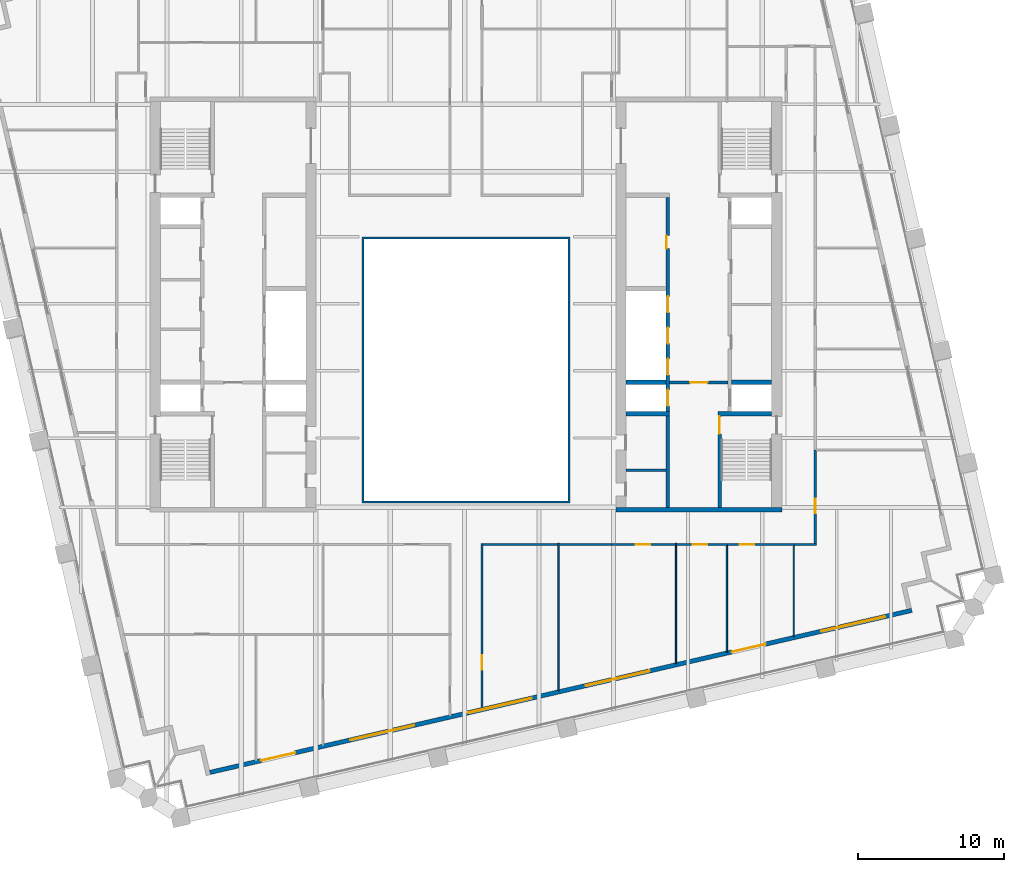
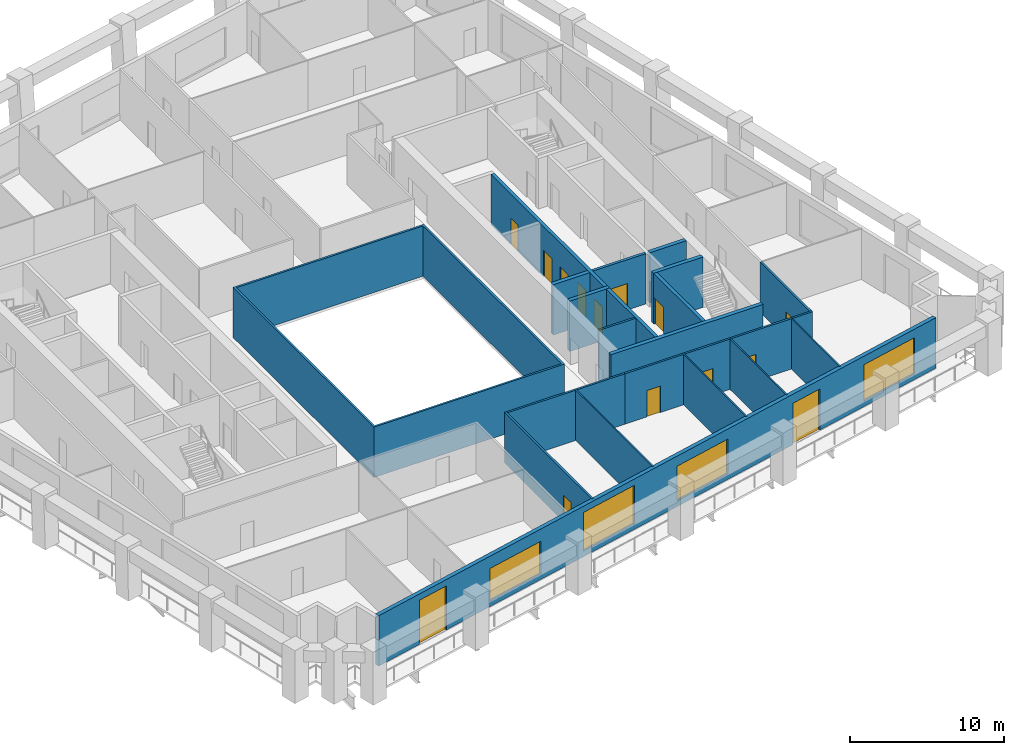
# One storey, part 5 of 11: 23 walls, 14 doors, 4 windows, 18 openings.
"""IFC4 building model written with IfcOpenShell, lengths in metres."""

from ifc_helpers import new_model, si_unit, direction, frame, frame_2d, origin, place, context, subcontext, project, spatial, polyline, rectangle, outline, extrude, material, layer, layer_set, type_object, element, fill, save


model = new_model("IFC4")

# Units and contexts
model_context = context("Model", 3, precision=1e-05, world=origin(), true_north=direction((0.0, 1.0)))
body_context = subcontext(model_context, "Body", "Model", "MODEL_VIEW")
ifc_project = project(units=[si_unit("LENGTHUNIT", "METRE"), si_unit("AREAUNIT", "SQUARE_METRE"), si_unit("VOLUMEUNIT", "CUBIC_METRE"), si_unit("PLANEANGLEUNIT", "RADIAN"), si_unit("MASSUNIT", "GRAM", prefix="KILO")], contexts=[model_context])

# Site, building, storey
site_placement = place(None, origin())
site = spatial("IfcSite", under=ifc_project, at=site_placement, CompositionType="ELEMENT")
building_placement = place(site_placement, origin())
building = spatial("IfcBuilding", under=site, at=building_placement, Name="Ogive Exchange Tower", CompositionType="ELEMENT")
storey_placement = place(building_placement, frame((0.0, 0.0, 175.800048828125)))
storey = spatial("IfcBuildingStorey", under=building, at=storey_placement, Name="L38", CompositionType="ELEMENT", Elevation=175.800048828125)

# Wall
ifc_material_1 = material(Name="Gypsum board partition")
ifc_layer_1 = layer(ifc_material_1, 0.14990234375)
ifc_layer_set_1 = layer_set([ifc_layer_1], Name="Core room partition 150 gypsum")
wall_type_1 = type_object("IfcWallType", Name="Core room partition 150 gypsum", PredefinedType="PARTITIONING", material=ifc_layer_set_1)
wall_1_placement = place(storey_placement, frame((11.0, 0.10009765625, 0.0), z_axis=(0.0, 0.0, 1.0), x_axis=(1.0, 0.0, 0.0)))
element("IfcWall", 1, at=wall_1_placement, inside=storey, type_object=wall_type_1, Name="E south room partition", PredefinedType="PARTITIONING", context=body_context, shape_type="SweptSolid", body=[
    extrude(rectangle(XDim=2.75, YDim=0.14990234375, at=frame_2d((1.375, 0.0))), origin(), (0.0, 0.0, 1.0), 4.0),
])

# Wall, opening, door
ifc_material_2 = material(Name="Fire partition EI 60 150")
ifc_layer_2 = layer(ifc_material_2, 0.14990234375)
ifc_layer_set_2 = layer_set([ifc_layer_2], Name="Fire partition EI 60 150")
wall_type_2 = type_object("IfcWallType", Name="Fire partition EI 60 150", PredefinedType="PARTITIONING", material=ifc_layer_set_2)
wall_2_placement = place(storey_placement, frame((1.10009765625, -4.925048828125, 0.0), z_axis=(0.0, 0.0, 1.0), x_axis=(0.0, -1.0, 0.0)))
wall_2 = element("IfcWall", 2, at=wall_2_placement, inside=storey, type_object=wall_type_2, Name="L38-PWL-036", PredefinedType="PARTITIONING", context=body_context, shape_type="SweptSolid", body=[
    extrude(rectangle(XDim=11.344970703125, YDim=0.14990234375, at=frame_2d((5.67236328125, 0.0))), origin(), (0.0, 0.0, 1.0), 4.0),
])
opening_1_placement = place(wall_2_placement, frame((7.675048828125, 0.0, 0.0)))
opening_1 = element("IfcOpeningElement", 3, at=opening_1_placement, cuts=wall_2, Name="Opening L38-I16", PredefinedType="OPENING", context=body_context, shape_type="SweptSolid", body=[
    extrude(rectangle(XDim=1.0, YDim=2.10009765625, at=frame_2d((0.5, 1.050048828125))), frame((0.0, 0.0849609375, 0.0), z_axis=(0.0, -1.0, 0.0), x_axis=(1.0, 0.0, 0.0)), (0.0, 0.0, 1.0), 0.169921875),
])
ifc_material_3 = material(Name="Fire door FD 30S 1000 x 2100")
door_type_1 = type_object("IfcDoorType", Name="Fire door FD 30S 1000 x 2100", OperationType="NOTDEFINED", PredefinedType="DOOR", material=ifc_material_3)
door_1_placement = place(opening_1_placement, origin())
door_1 = element("IfcDoor", 4, at=door_1_placement, inside=storey, type_object=door_type_1, Name="L38-IDR-016", ObjectType="DT3", OperationType="SINGLE_SWING_LEFT", OverallHeight=2.10009765625, OverallWidth=1.0, PredefinedType="DOOR", context=body_context, shape_type="SweptSolid", body=[
    extrude(rectangle(XDim=1.0, YDim=2.10009765625, at=frame_2d((0.5, 1.050048828125))), frame((0.0, 0.02490234375, 0.0), z_axis=(0.0, -1.0, 0.0), x_axis=(1.0, 0.0, 0.0)), (0.0, 0.0, 1.0), 0.050048828125),
])
fill(opening_1, door_1)

# Walls
wall_3_placement = place(storey_placement, frame((6.2900390625, -5.0, 0.0), z_axis=(0.0, 0.0, 1.0), x_axis=(-1.0, 0.0, 0.0)))
element("IfcWall", 5, at=wall_3_placement, inside=storey, type_object=wall_type_2, Name="L38-PWL-044", PredefinedType="PARTITIONING", context=body_context, shape_type="SweptSolid", body=[
    extrude(rectangle(XDim=5.114990234375, YDim=0.14990234375, at=frame_2d((2.5576171875, 0.0))), origin(), (0.0, 0.0, 1.0), 4.0),
])
wall_4_placement = place(storey_placement, frame((10.0, -5.0, 0.0), z_axis=(0.0, 0.0, 1.0), x_axis=(-1.0, 0.0, 0.0)))
element("IfcWall", 6, at=wall_4_placement, inside=storey, type_object=wall_type_2, Name="L38-PWL-051", PredefinedType="PARTITIONING", context=body_context, shape_type="SweptSolid", body=[
    extrude(rectangle(XDim=3.610107421875, YDim=0.14990234375, at=frame_2d((1.80517578125, 0.0))), origin(), (0.0, 0.0, 1.0), 4.0),
])

# Wall, opening, door
wall_5_placement = place(storey_placement, frame((14.3798828125, -5.0, 0.0), z_axis=(0.0, 0.0, 1.0), x_axis=(-1.0, 0.0, 0.0)))
wall_5 = element("IfcWall", 7, at=wall_5_placement, inside=storey, type_object=wall_type_2, Name="L38-PWL-057", PredefinedType="PARTITIONING", context=body_context, shape_type="SweptSolid", body=[
    extrude(rectangle(XDim=4.3798828125, YDim=0.14990234375, at=frame_2d((2.18994140625, 0.0))), origin(), (0.0, 0.0, 1.0), 4.0),
])
opening_2_placement = place(wall_5_placement, frame((1.72998046875, 0.0, 0.0)))
opening_2 = element("IfcOpeningElement", 8, at=opening_2_placement, cuts=wall_5, Name="Opening L38-I15", PredefinedType="OPENING", context=body_context, shape_type="SweptSolid", body=[
    extrude(rectangle(XDim=1.0, YDim=2.10009765625, at=frame_2d((0.5, 1.050048828125))), frame((0.0, 0.0849609375, 0.0), z_axis=(0.0, -1.0, 0.0), x_axis=(1.0, 0.0, 0.0)), (0.0, 0.0, 1.0), 0.169921875),
])
door_2_placement = place(opening_2_placement, origin())
door_2 = element("IfcDoor", 9, at=door_2_placement, inside=storey, type_object=door_type_1, Name="L38-IDR-015", ObjectType="DT3", OperationType="SINGLE_SWING_RIGHT", OverallHeight=2.10009765625, OverallWidth=1.0, PredefinedType="DOOR", context=body_context, shape_type="SweptSolid", body=[
    extrude(rectangle(XDim=1.0, YDim=2.10009765625, at=frame_2d((0.5, 1.050048828125))), frame((0.0, 0.02490234375, 0.0), z_axis=(0.0, -1.0, 0.0), x_axis=(1.0, 0.0, 0.0)), (0.0, 0.0, 1.0), 0.050048828125),
])
fill(opening_2, door_2)

wall_6_placement = place(storey_placement, frame((17.969970703125, -5.0, 0.0), z_axis=(0.0, 0.0, 1.0), x_axis=(-1.0, 0.0, 0.0)))
wall_6 = element("IfcWall", 10, at=wall_6_placement, inside=storey, type_object=wall_type_2, Name="L38-PWL-058", PredefinedType="PARTITIONING", context=body_context, shape_type="SweptSolid", body=[
    extrude(rectangle(XDim=3.489990234375, YDim=0.14990234375, at=frame_2d((1.7451171875, 0.0))), origin(), (0.0, 0.0, 1.0), 4.0),
])
opening_3_placement = place(wall_6_placement, frame((1.389892578125, 0.0, 0.0)))
opening_3 = element("IfcOpeningElement", 11, at=opening_3_placement, cuts=wall_6, Name="Opening L38-I14", PredefinedType="OPENING", context=body_context, shape_type="SweptSolid", body=[
    extrude(rectangle(XDim=1.0, YDim=2.10009765625, at=frame_2d((0.5, 1.050048828125))), frame((0.0, 0.0849609375, 0.0), z_axis=(0.0, -1.0, 0.0), x_axis=(1.0, 0.0, 0.0)), (0.0, 0.0, 1.0), 0.169921875),
])
door_3_placement = place(opening_3_placement, origin())
door_3 = element("IfcDoor", 12, at=door_3_placement, inside=storey, type_object=door_type_1, Name="L38-IDR-014", ObjectType="DT3", OperationType="SINGLE_SWING_RIGHT", OverallHeight=2.10009765625, OverallWidth=1.0, PredefinedType="DOOR", context=body_context, shape_type="SweptSolid", body=[
    extrude(rectangle(XDim=1.0, YDim=2.10009765625, at=frame_2d((0.5, 1.050048828125))), frame((0.0, 0.02490234375, 0.0), z_axis=(0.0, -1.0, 0.0), x_axis=(1.0, 0.0, 0.0)), (0.0, 0.0, 1.0), 0.050048828125),
])
fill(opening_3, door_3)

wall_7_placement = place(storey_placement, frame((22.570068359375, -5.0, 0.0), z_axis=(0.0, 0.0, 1.0), x_axis=(-1.0, 0.0, 0.0)))
wall_7 = element("IfcWall", 13, at=wall_7_placement, inside=storey, type_object=wall_type_2, Name="L38-PWL-070", PredefinedType="PARTITIONING", context=body_context, shape_type="SweptSolid", body=[
    extrude(rectangle(XDim=4.650146484375, YDim=0.14990234375, at=frame_2d((2.3251953125, 0.0))), origin(), (0.0, 0.0, 1.0), 4.0),
])
opening_4_placement = place(wall_7_placement, frame((2.75, 0.0, 0.0)))
opening_4 = element("IfcOpeningElement", 14, at=opening_4_placement, cuts=wall_7, Name="Opening L38-I18", PredefinedType="OPENING", context=body_context, shape_type="SweptSolid", body=[
    extrude(rectangle(XDim=1.0, YDim=2.10009765625, at=frame_2d((0.5, 1.050048828125))), frame((0.0, 0.0849609375, 0.0), z_axis=(0.0, -1.0, 0.0), x_axis=(1.0, 0.0, 0.0)), (0.0, 0.0, 1.0), 0.169921875),
])
door_4_placement = place(opening_4_placement, origin())
door_4 = element("IfcDoor", 15, at=door_4_placement, inside=storey, type_object=door_type_1, Name="L38-IDR-018", ObjectType="DT3", OperationType="SINGLE_SWING_LEFT", OverallHeight=2.10009765625, OverallWidth=1.0, PredefinedType="DOOR", context=body_context, shape_type="SweptSolid", body=[
    extrude(rectangle(XDim=1.0, YDim=2.10009765625, at=frame_2d((0.5, 1.050048828125))), frame((0.0, 0.02490234375, 0.0), z_axis=(0.0, -1.0, 0.0), x_axis=(1.0, 0.0, 0.0)), (0.0, 0.0, 1.0), 0.050048828125),
])
fill(opening_4, door_4)

# Wall
wall_8_placement = place(storey_placement, frame((24.074951171875, -5.0, 0.0), z_axis=(0.0, 0.0, 1.0), x_axis=(-1.0, 0.0, 0.0)))
element("IfcWall", 16, at=wall_8_placement, inside=storey, type_object=wall_type_2, Name="L38-PWL-074", PredefinedType="PARTITIONING", context=body_context, shape_type="SweptSolid", body=[
    extrude(rectangle(XDim=1.5048828125, YDim=0.14990234375, at=frame_2d((0.75244140625, 0.0))), origin(), (0.0, 0.0, 1.0), 4.0),
])

# Wall, opening, door
wall_9_placement = place(storey_placement, frame((24.0, 1.510009765625, 0.0), z_axis=(0.0, 0.0, 1.0), x_axis=(0.0, -1.0, 0.0)))
wall_9 = element("IfcWall", 17, at=wall_9_placement, inside=storey, type_object=wall_type_2, Name="L38-PWL-075", PredefinedType="PARTITIONING", context=body_context, shape_type="SweptSolid", body=[
    extrude(rectangle(XDim=6.43505859375, YDim=0.14990234375, at=frame_2d((3.217529296875, 0.0))), origin(), (0.0, 0.0, 1.0), 4.0),
])
opening_5_placement = place(wall_9_placement, frame((3.360107421875, 0.0, 0.0)))
opening_5 = element("IfcOpeningElement", 18, at=opening_5_placement, cuts=wall_9, Name="Opening L38-I19", PredefinedType="OPENING", context=body_context, shape_type="SweptSolid", body=[
    extrude(rectangle(XDim=1.0, YDim=2.10009765625, at=frame_2d((0.5, 1.050048828125))), frame((0.0, 0.0849609375, 0.0), z_axis=(0.0, -1.0, 0.0), x_axis=(1.0, 0.0, 0.0)), (0.0, 0.0, 1.0), 0.169921875),
])
door_5_placement = place(opening_5_placement, origin())
door_5 = element("IfcDoor", 19, at=door_5_placement, inside=storey, type_object=door_type_1, Name="L38-IDR-019", ObjectType="DT3", OperationType="SINGLE_SWING_RIGHT", OverallHeight=2.10009765625, OverallWidth=1.0, PredefinedType="DOOR", context=body_context, shape_type="SweptSolid", body=[
    extrude(rectangle(XDim=1.0, YDim=2.10009765625, at=frame_2d((0.5, 1.050048828125))), frame((0.0, 0.02490234375, 0.0), z_axis=(0.0, -1.0, 0.0), x_axis=(1.0, 0.0, 0.0)), (0.0, 0.0, 1.0), 0.050048828125),
])
fill(opening_5, door_5)

# Wall
ifc_material_4 = material(Name="Fire-resisting glass in steel frame", Category="steel")
ifc_layer_3 = layer(ifc_material_4, 0.14990234375)
ifc_layer_set_3 = layer_set([ifc_layer_3], Name="Fire-rated glazed wall 150")
wall_type_3 = type_object("IfcWallType", Name="Fire-rated glazed wall 150", PredefinedType="STANDARD", material=ifc_layer_set_3)
wall_10_placement = place(storey_placement, origin())
element("IfcWall", 20, at=wall_10_placement, inside=storey, type_object=wall_type_3, Name="Nave enclosure wall", PredefinedType="STANDARD", context=body_context, shape_type="SweptSolid", body=[
    extrude(outline(polyline([(-7.14990234375, -2.14990234375), (7.14990234375, -2.14990234375), (7.14990234375, 16.14990234375), (-7.14990234375, 16.14990234375), (-7.14990234375, -2.14990234375)]), holes=[polyline([(-7.0, -2.0), (-7.0, 16.0), (7.0, 16.0), (7.0, -2.0), (-7.0, -2.0)])]), origin(), (0.0, 0.0, 1.0), 4.0),
])

# Wall, openings, doors, windows
ifc_material_5 = material(Name="Precast concrete C40/50", Category="concrete")
ifc_layer_4 = layer(ifc_material_5, 0.300048828125)
ifc_layer_set_4 = layer_set([ifc_layer_4], Name="Limestone-faced wall 300")
wall_type_4 = type_object("IfcWallType", Name="Limestone-faced wall 300", PredefinedType="STANDARD", material=ifc_layer_set_4)
wall_11_placement = place(storey_placement, frame((-17.592041015625, -20.6572265625, 0.0), z_axis=(0.0, 0.0, 1.0), x_axis=(0.974370243697, 0.224950279389, 0.0)))
wall_11 = element("IfcWall", 21, at=wall_11_placement, inside=storey, type_object=wall_type_4, Name="External wall S1", PredefinedType="STANDARD", context=body_context, shape_type="SweptSolid", body=[
    extrude(rectangle(XDim=49.499755859375, YDim=0.300048828125, at=frame_2d((24.75, 0.0))), origin(), (0.0, 0.0, 1.0), 4.0),
])
opening_6_placement = place(wall_11_placement, frame((3.60009765625, 0.0, 0.0)))
opening_6 = element("IfcOpeningElement", 22, at=opening_6_placement, cuts=wall_11, Name="Opening D1", PredefinedType="OPENING", context=body_context, shape_type="SweptSolid", body=[
    extrude(rectangle(XDim=2.39990234375, YDim=3.5, at=frame_2d((1.199951171875, 1.75))), frame((0.0, 0.159912109375, 0.0), z_axis=(0.0, -1.0, 0.0), x_axis=(1.0, 0.0, 0.0)), (0.0, 0.0, 1.0), 0.320068359375),
])
opening_7_placement = place(wall_11_placement, frame((9.89990234375, 0.0, 0.449951171875)))
opening_7 = element("IfcOpeningElement", 23, at=opening_7_placement, cuts=wall_11, Name="Opening W1M", PredefinedType="OPENING", context=body_context, shape_type="SweptSolid", body=[
    extrude(rectangle(XDim=4.5, YDim=2.574951171875, at=frame_2d((2.25, 1.28759765625))), frame((0.0, 0.159912109375, 0.0), z_axis=(0.0, -1.0, 0.0), x_axis=(1.0, 0.0, 0.0)), (0.0, 0.0, 1.0), 0.320068359375),
])
opening_8_placement = place(wall_11_placement, frame((18.199951171875, 0.0, 0.449951171875)))
opening_8 = element("IfcOpeningElement", 24, at=opening_8_placement, cuts=wall_11, Name="Opening W1", PredefinedType="OPENING", context=body_context, shape_type="SweptSolid", body=[
    extrude(rectangle(XDim=4.5, YDim=3.050048828125, at=frame_2d((2.25, 1.52490234375))), frame((0.0, 0.159912109375, 0.0), z_axis=(0.0, -1.0, 0.0), x_axis=(1.0, 0.0, 0.0)), (0.0, 0.0, 1.0), 0.320068359375),
])
opening_9_placement = place(wall_11_placement, frame((26.5, 0.0, 0.449951171875)))
opening_9 = element("IfcOpeningElement", 25, at=opening_9_placement, cuts=wall_11, Name="Opening W1H", PredefinedType="OPENING", context=body_context, shape_type="SweptSolid", body=[
    extrude(rectangle(XDim=4.5, YDim=2.75, at=frame_2d((2.25, 1.375))), frame((0.0, 0.159912109375, 0.0), z_axis=(0.0, -1.0, 0.0), x_axis=(1.0, 0.0, 0.0)), (0.0, 0.0, 1.0), 0.320068359375),
])
opening_10_placement = place(wall_11_placement, frame((36.800048828125, 0.0, 0.0)))
opening_10 = element("IfcOpeningElement", 26, at=opening_10_placement, cuts=wall_11, Name="Opening D1E", PredefinedType="OPENING", context=body_context, shape_type="SweptSolid", body=[
    extrude(rectangle(XDim=2.39990234375, YDim=3.27490234375, at=frame_2d((1.199951171875, 1.637451171875))), frame((0.0, 0.159912109375, 0.0), z_axis=(0.0, -1.0, 0.0), x_axis=(1.0, 0.0, 0.0)), (0.0, 0.0, 1.0), 0.320068359375),
])
opening_11_placement = place(wall_11_placement, frame((43.10009765625, 0.0, 0.449951171875)))
opening_11 = element("IfcOpeningElement", 27, at=opening_11_placement, cuts=wall_11, Name="Opening W1D", PredefinedType="OPENING", context=body_context, shape_type="SweptSolid", body=[
    extrude(rectangle(XDim=4.5, YDim=2.875, at=frame_2d((2.25, 1.4375))), frame((0.0, 0.159912109375, 0.0), z_axis=(0.0, -1.0, 0.0), x_axis=(1.0, 0.0, 0.0)), (0.0, 0.0, 1.0), 0.320068359375),
])
ifc_material_6 = material(Name="Clear glass in bronze frame", Category="glass")
door_type_2 = type_object("IfcDoorType", Name="Sliding loggia door 2400 x 3275", OperationType="DOUBLE_DOOR_SLIDING", PredefinedType="DOOR", material=ifc_material_6)
door_6_placement = place(opening_10_placement, origin())
door_6 = element("IfcDoor", 28, at=door_6_placement, inside=storey, type_object=door_type_2, Name="Loggia door S04", OperationType="DOUBLE_DOOR_SLIDING", OverallHeight=3.27490234375, OverallWidth=2.39990234375, PredefinedType="DOOR", context=body_context, shape_type="SweptSolid", body=[
    extrude(rectangle(XDim=2.39990234375, YDim=3.27490234375, at=frame_2d((1.199951171875, 1.637451171875))), frame((0.0, 0.02490234375, 0.0), z_axis=(0.0, -1.0, 0.0), x_axis=(1.0, 0.0, 0.0)), (0.0, 0.0, 1.0), 0.050048828125),
])
fill(opening_10, door_6)
door_type_3 = type_object("IfcDoorType", Name="Sliding loggia door 2400 x 3500", OperationType="DOUBLE_DOOR_SLIDING", PredefinedType="DOOR", material=ifc_material_6)
door_7_placement = place(opening_6_placement, origin())
door_7 = element("IfcDoor", 29, at=door_7_placement, inside=storey, type_object=door_type_3, Name="Loggia door S00", OperationType="DOUBLE_DOOR_SLIDING", OverallHeight=3.5, OverallWidth=2.39990234375, PredefinedType="DOOR", context=body_context, shape_type="SweptSolid", body=[
    extrude(rectangle(XDim=2.39990234375, YDim=3.5, at=frame_2d((1.199951171875, 1.75))), frame((0.0, 0.02490234375, 0.0), z_axis=(0.0, -1.0, 0.0), x_axis=(1.0, 0.0, 0.0)), (0.0, 0.0, 1.0), 0.050048828125),
])
fill(opening_6, door_7)
window_type_1 = type_object("IfcWindowType", Name="Twin lancet window 4500 x 2575", PartitioningType="DOUBLE_PANEL_VERTICAL", PredefinedType="WINDOW", material=ifc_material_6)
window_1_placement = place(opening_7_placement, origin())
window_1 = element("IfcWindow", 30, at=window_1_placement, inside=storey, type_object=window_type_1, Name="Window S01", OverallHeight=2.574951171875, OverallWidth=4.5, PartitioningType="DOUBLE_PANEL_VERTICAL", PredefinedType="WINDOW", context=body_context, shape_type="SweptSolid", body=[
    extrude(rectangle(XDim=4.5, YDim=2.574951171875, at=frame_2d((2.25, 1.28759765625))), frame((0.0, 0.030029296875, 0.0), z_axis=(0.0, -1.0, 0.0), x_axis=(1.0, 0.0, 0.0)), (0.0, 0.0, 1.0), 0.06005859375),
])
fill(opening_7, window_1)
window_type_2 = type_object("IfcWindowType", Name="Twin lancet window 4500 x 2750", PartitioningType="DOUBLE_PANEL_VERTICAL", PredefinedType="WINDOW", material=ifc_material_6)
window_2_placement = place(opening_9_placement, origin())
window_2 = element("IfcWindow", 31, at=window_2_placement, inside=storey, type_object=window_type_2, Name="Window S03", OverallHeight=2.75, OverallWidth=4.5, PartitioningType="DOUBLE_PANEL_VERTICAL", PredefinedType="WINDOW", context=body_context, shape_type="SweptSolid", body=[
    extrude(rectangle(XDim=4.5, YDim=2.75, at=frame_2d((2.25, 1.375))), frame((0.0, 0.030029296875, 0.0), z_axis=(0.0, -1.0, 0.0), x_axis=(1.0, 0.0, 0.0)), (0.0, 0.0, 1.0), 0.06005859375),
])
fill(opening_9, window_2)
window_type_3 = type_object("IfcWindowType", Name="Twin lancet window 4500 x 2875", PartitioningType="DOUBLE_PANEL_VERTICAL", PredefinedType="WINDOW", material=ifc_material_6)
window_3_placement = place(opening_11_placement, origin())
window_3 = element("IfcWindow", 32, at=window_3_placement, inside=storey, type_object=window_type_3, Name="Window S05", OverallHeight=2.875, OverallWidth=4.5, PartitioningType="DOUBLE_PANEL_VERTICAL", PredefinedType="WINDOW", context=body_context, shape_type="SweptSolid", body=[
    extrude(rectangle(XDim=4.5, YDim=2.875, at=frame_2d((2.25, 1.4375))), frame((0.0, 0.030029296875, 0.0), z_axis=(0.0, -1.0, 0.0), x_axis=(1.0, 0.0, 0.0)), (0.0, 0.0, 1.0), 0.06005859375),
])
fill(opening_11, window_3)
window_type_4 = type_object("IfcWindowType", Name="Twin lancet window 4500 x 3050", PartitioningType="DOUBLE_PANEL_VERTICAL", PredefinedType="WINDOW", material=ifc_material_6)
window_4_placement = place(opening_8_placement, origin())
window_4 = element("IfcWindow", 33, at=window_4_placement, inside=storey, type_object=window_type_4, Name="Window S02", OverallHeight=3.050048828125, OverallWidth=4.5, PartitioningType="DOUBLE_PANEL_VERTICAL", PredefinedType="WINDOW", context=body_context, shape_type="SweptSolid", body=[
    extrude(rectangle(XDim=4.5, YDim=3.050048828125, at=frame_2d((2.25, 1.52490234375))), frame((0.0, 0.030029296875, 0.0), z_axis=(0.0, -1.0, 0.0), x_axis=(1.0, 0.0, 0.0)), (0.0, 0.0, 1.0), 0.06005859375),
])
fill(opening_8, window_4)

# Walls
ifc_material_7 = material(Name="Partition 100 gypsum")
ifc_layer_5 = layer(ifc_material_7, 0.10009765625)
ifc_layer_set_5 = layer_set([ifc_layer_5], Name="Partition 100 gypsum")
wall_type_5 = type_object("IfcWallType", Name="Partition 100 gypsum", PredefinedType="PARTITIONING", material=ifc_layer_set_5)
wall_12_placement = place(storey_placement, frame((6.340087890625, -15.06103515625, 0.0), z_axis=(0.0, 0.0, 1.0), x_axis=(0.0, 1.0, 0.0)))
element("IfcWall", 34, at=wall_12_placement, inside=storey, type_object=wall_type_5, Name="L38-PWL-043", PredefinedType="PARTITIONING", context=body_context, shape_type="SweptSolid", body=[
    extrude(rectangle(XDim=10.135986328125, YDim=0.10009765625, at=frame_2d((5.06787109375, 0.0))), origin(), (0.0, 0.0, 1.0), 4.0),
])
wall_13_placement = place(storey_placement, frame((14.429931640625, -13.193115234375, 0.0), z_axis=(0.0, 0.0, 1.0), x_axis=(0.0, 1.0, 0.0)))
element("IfcWall", 35, at=wall_13_placement, inside=storey, type_object=wall_type_5, Name="L38-PWL-056", PredefinedType="PARTITIONING", context=body_context, shape_type="SweptSolid", body=[
    extrude(rectangle(XDim=8.26806640625, YDim=0.10009765625, at=frame_2d((4.134033203125, 0.0))), origin(), (0.0, 0.0, 1.0), 4.0),
])
wall_14_placement = place(storey_placement, frame((17.919921875, -5.074951171875, 0.0), z_axis=(0.0, 0.0, 1.0), x_axis=(0.0, -1.0, 0.0)))
element("IfcWall", 36, at=wall_14_placement, inside=storey, type_object=wall_type_5, Name="L38-PWL-059", PredefinedType="PARTITIONING", context=body_context, shape_type="SweptSolid", body=[
    extrude(rectangle(XDim=7.31201171875, YDim=0.10009765625, at=frame_2d((3.656005859375, 0.0))), origin(), (0.0, 0.0, 1.0), 4.0),
])
wall_15_placement = place(storey_placement, frame((22.52001953125, -5.074951171875, 0.0), z_axis=(0.0, 0.0, 1.0), x_axis=(0.0, -1.0, 0.0)))
element("IfcWall", 37, at=wall_15_placement, inside=storey, type_object=wall_type_5, Name="L38-PWL-071", PredefinedType="PARTITIONING", context=body_context, shape_type="SweptSolid", body=[
    extrude(rectangle(XDim=6.25, YDim=0.10009765625, at=frame_2d((3.125, 0.0))), origin(), (0.0, 0.0, 1.0), 4.0),
])

# Wall, opening, door
ifc_material_8 = material(Name="Concrete C70/85", Category="concrete")
ifc_layer_6 = layer(ifc_material_8, 0.199951171875)
ifc_layer_set_6 = layer_set([ifc_layer_6], Name="RC core wall 200 C70/85")
wall_type_6 = type_object("IfcWallType", Name="RC core wall 200 C70/85", PredefinedType="SHEAR", material=ifc_layer_set_6)
wall_16_placement = place(storey_placement, frame((14.0, 6.142822265625, 0.0), z_axis=(0.0, 0.0, 1.0), x_axis=(1.0, 0.0, 0.0)))
wall_16 = element("IfcWall", 38, at=wall_16_placement, inside=storey, type_object=wall_type_6, Name="E firefighting lobby wall", PredefinedType="SHEAR", context=body_context, shape_type="SweptSolid", body=[
    extrude(rectangle(XDim=4.0, YDim=0.199951171875, at=frame_2d((2.0, 0.0))), origin(), (0.0, 0.0, 1.0), 4.0),
])
opening_12_placement = place(wall_16_placement, frame((1.39990234375, 0.0, 0.0)))
opening_12 = element("IfcOpeningElement", 39, at=opening_12_placement, cuts=wall_16, Name="Opening L38-C28", PredefinedType="OPENING", context=body_context, shape_type="SweptSolid", body=[
    extrude(rectangle(XDim=1.199951171875, YDim=2.10009765625, at=frame_2d((0.60009765625, 1.050048828125))), frame((0.0, 0.10986328125, 0.0), z_axis=(0.0, -1.0, 0.0), x_axis=(1.0, 0.0, 0.0)), (0.0, 0.0, 1.0), 0.219970703125),
])
ifc_material_9 = material(Name="Steel fire door", Category="steel")
door_type_4 = type_object("IfcDoorType", Name="Firefighting lobby door FD60 1200 x 2100", OperationType="NOTDEFINED", PredefinedType="DOOR", material=ifc_material_9)
door_8_placement = place(opening_12_placement, frame((1.199951171875, 0.0, 0.0), z_axis=(0.0, 0.0, 1.0), x_axis=(-1.0, 0.0, 0.0)))
door_8 = element("IfcDoor", 40, at=door_8_placement, inside=storey, type_object=door_type_4, Name="Firefighting lobby door", ObjectType="CD3", OperationType="SINGLE_SWING_LEFT", OverallHeight=2.10009765625, OverallWidth=1.199951171875, PredefinedType="DOOR", context=body_context, shape_type="SweptSolid", body=[
    extrude(rectangle(XDim=1.199951171875, YDim=2.10009765625, at=frame_2d((0.60009765625, 1.050048828125))), frame((0.0, 0.02490234375, 0.0), z_axis=(0.0, -1.0, 0.0), x_axis=(1.0, 0.0, 0.0)), (0.0, 0.0, 1.0), 0.050048828125),
])
fill(opening_12, door_8)

ifc_layer_7 = layer(ifc_material_8, 0.25)
ifc_layer_set_7 = layer_set([ifc_layer_7], Name="RC core wall 250 C70/85")
wall_type_7 = type_object("IfcWallType", Name="RC core wall 250 C70/85", PredefinedType="SHEAR", material=ifc_layer_set_7)
wall_17_placement = place(storey_placement, frame((17.425048828125, -2.449951171875, 0.0), z_axis=(0.0, 0.0, 1.0), x_axis=(0.0, 1.0, 0.0)))
wall_17 = element("IfcWall", 41, at=wall_17_placement, inside=storey, type_object=wall_type_7, Name="E stair S front wall", PredefinedType="SHEAR", context=body_context, shape_type="SweptSolid", body=[
    extrude(rectangle(XDim=6.300048828125, YDim=0.25, at=frame_2d((3.14990234375, 0.0))), origin(), (0.0, 0.0, 1.0), 4.0),
])
opening_13_placement = place(wall_17_placement, frame((5.050048828125, 0.0, 0.0)))
opening_13 = element("IfcOpeningElement", 42, at=opening_13_placement, cuts=wall_17, Name="Opening L38-C30", PredefinedType="OPENING", context=body_context, shape_type="SweptSolid", body=[
    extrude(rectangle(XDim=1.199951171875, YDim=2.10009765625, at=frame_2d((0.60009765625, 1.050048828125))), frame((0.0, 0.135009765625, 0.0), z_axis=(0.0, -1.0, 0.0), x_axis=(1.0, 0.0, 0.0)), (0.0, 0.0, 1.0), 0.27001953125),
])
door_type_5 = type_object("IfcDoorType", Name="Stair door FD90 1200 x 2100", OperationType="NOTDEFINED", PredefinedType="DOOR", material=ifc_material_9)
door_9_placement = place(opening_13_placement, frame((1.199951171875, 0.0, 0.0), z_axis=(0.0, 0.0, 1.0), x_axis=(-1.0, 0.0, 0.0)))
door_9 = element("IfcDoor", 43, at=door_9_placement, inside=storey, type_object=door_type_5, Name="Stair door", ObjectType="CD5", OperationType="SINGLE_SWING_RIGHT", OverallHeight=2.10009765625, OverallWidth=1.199951171875, PredefinedType="DOOR", context=body_context, shape_type="SweptSolid", body=[
    extrude(rectangle(XDim=1.199951171875, YDim=2.10009765625, at=frame_2d((0.60009765625, 1.050048828125))), frame((0.0, 0.02490234375, 0.0), z_axis=(0.0, -1.0, 0.0), x_axis=(1.0, 0.0, 0.0)), (0.0, 0.0, 1.0), 0.050048828125),
])
fill(opening_13, door_9)

# Wall, openings, doors
wall_18_placement = place(storey_placement, frame((13.875, -2.449951171875, 0.0), z_axis=(0.0, 0.0, 1.0), x_axis=(0.0, 1.0, 0.0)))
wall_18 = element("IfcWall", 44, at=wall_18_placement, inside=storey, type_object=wall_type_7, Name="E row B front wall", PredefinedType="SHEAR", context=body_context, shape_type="SweptSolid", body=[
    extrude(rectangle(XDim=21.300048828125, YDim=0.25, at=frame_2d((10.64990234375, 0.0))), origin(), (0.0, 0.0, 1.0), 4.0),
])
opening_14_placement = place(wall_18_placement, frame((17.78564453125, 0.0, 0.0)))
opening_14 = element("IfcOpeningElement", 45, at=opening_14_placement, cuts=wall_18, Name="Opening L38-C23", PredefinedType="OPENING", context=body_context, shape_type="SweptSolid", body=[
    extrude(rectangle(XDim=0.89990234375, YDim=2.10009765625, at=frame_2d((0.449951171875, 1.050048828125))), frame((0.0, 0.135009765625, 0.0), z_axis=(0.0, -1.0, 0.0), x_axis=(1.0, 0.0, 0.0)), (0.0, 0.0, 1.0), 0.27001953125),
])
opening_15_placement = place(wall_18_placement, frame((6.971435546875, 0.0, 0.0)))
opening_15 = element("IfcOpeningElement", 46, at=opening_15_placement, cuts=wall_18, Name="Opening L38-C24", PredefinedType="OPENING", context=body_context, shape_type="SweptSolid", body=[
    extrude(rectangle(XDim=1.10009765625, YDim=2.10009765625, at=frame_2d((0.550048828125, 1.050048828125))), frame((0.0, 0.135009765625, 0.0), z_axis=(0.0, -1.0, 0.0), x_axis=(1.0, 0.0, 0.0)), (0.0, 0.0, 1.0), 0.27001953125),
])
opening_16_placement = place(wall_18_placement, frame((9.1142578125, 0.0, 0.0)))
opening_16 = element("IfcOpeningElement", 47, at=opening_16_placement, cuts=wall_18, Name="Opening L38-C25", PredefinedType="OPENING", context=body_context, shape_type="SweptSolid", body=[
    extrude(rectangle(XDim=1.10009765625, YDim=2.10009765625, at=frame_2d((0.550048828125, 1.050048828125))), frame((0.0, 0.135009765625, 0.0), z_axis=(0.0, -1.0, 0.0), x_axis=(1.0, 0.0, 0.0)), (0.0, 0.0, 1.0), 0.27001953125),
])
opening_17_placement = place(wall_18_placement, frame((11.257080078125, 0.0, 0.0)))
opening_17 = element("IfcOpeningElement", 48, at=opening_17_placement, cuts=wall_18, Name="Opening L38-C26", PredefinedType="OPENING", context=body_context, shape_type="SweptSolid", body=[
    extrude(rectangle(XDim=1.10009765625, YDim=2.10009765625, at=frame_2d((0.550048828125, 1.050048828125))), frame((0.0, 0.135009765625, 0.0), z_axis=(0.0, -1.0, 0.0), x_axis=(1.0, 0.0, 0.0)), (0.0, 0.0, 1.0), 0.27001953125),
])
opening_18_placement = place(wall_18_placement, frame((13.39990234375, 0.0, 0.0)))
opening_18 = element("IfcOpeningElement", 49, at=opening_18_placement, cuts=wall_18, Name="Opening L38-C27", PredefinedType="OPENING", context=body_context, shape_type="SweptSolid", body=[
    extrude(rectangle(XDim=1.10009765625, YDim=2.10009765625, at=frame_2d((0.550048828125, 1.050048828125))), frame((0.0, 0.135009765625, 0.0), z_axis=(0.0, -1.0, 0.0), x_axis=(1.0, 0.0, 0.0)), (0.0, 0.0, 1.0), 0.27001953125),
])
ifc_material_10 = material(Name="Stainless steel", Category="steel")
door_type_6 = type_object("IfcDoorType", Name="Lift landing door FD90 1100 x 2100", OperationType="SLIDING_TO_LEFT", PredefinedType="DOOR", material=ifc_material_10)
door_10_placement = place(opening_15_placement, origin())
door_10 = element("IfcDoor", 50, at=door_10_placement, inside=storey, type_object=door_type_6, Name="Lift landing door SV2", ObjectType="LD", OperationType="SLIDING_TO_LEFT", OverallHeight=2.10009765625, OverallWidth=1.10009765625, PredefinedType="DOOR", context=body_context, shape_type="SweptSolid", body=[
    extrude(rectangle(XDim=1.10009765625, YDim=2.10009765625, at=frame_2d((0.550048828125, 1.050048828125))), frame((0.0, 0.02490234375, 0.0), z_axis=(0.0, -1.0, 0.0), x_axis=(1.0, 0.0, 0.0)), (0.0, 0.0, 1.0), 0.050048828125),
])
fill(opening_15, door_10)
door_11_placement = place(opening_16_placement, origin())
door_11 = element("IfcDoor", 51, at=door_11_placement, inside=storey, type_object=door_type_6, Name="Lift landing door E-M1", ObjectType="LD", OperationType="SLIDING_TO_LEFT", OverallHeight=2.10009765625, OverallWidth=1.10009765625, PredefinedType="DOOR", context=body_context, shape_type="SweptSolid", body=[
    extrude(rectangle(XDim=1.10009765625, YDim=2.10009765625, at=frame_2d((0.550048828125, 1.050048828125))), frame((0.0, 0.02490234375, 0.0), z_axis=(0.0, -1.0, 0.0), x_axis=(1.0, 0.0, 0.0)), (0.0, 0.0, 1.0), 0.050048828125),
])
fill(opening_16, door_11)
door_12_placement = place(opening_17_placement, origin())
door_12 = element("IfcDoor", 52, at=door_12_placement, inside=storey, type_object=door_type_6, Name="Lift landing door E-M2", ObjectType="LD", OperationType="SLIDING_TO_LEFT", OverallHeight=2.10009765625, OverallWidth=1.10009765625, PredefinedType="DOOR", context=body_context, shape_type="SweptSolid", body=[
    extrude(rectangle(XDim=1.10009765625, YDim=2.10009765625, at=frame_2d((0.550048828125, 1.050048828125))), frame((0.0, 0.02490234375, 0.0), z_axis=(0.0, -1.0, 0.0), x_axis=(1.0, 0.0, 0.0)), (0.0, 0.0, 1.0), 0.050048828125),
])
fill(opening_17, door_12)
door_13_placement = place(opening_18_placement, origin())
door_13 = element("IfcDoor", 53, at=door_13_placement, inside=storey, type_object=door_type_6, Name="Lift landing door E-M3", ObjectType="LD", OperationType="SLIDING_TO_LEFT", OverallHeight=2.10009765625, OverallWidth=1.10009765625, PredefinedType="DOOR", context=body_context, shape_type="SweptSolid", body=[
    extrude(rectangle(XDim=1.10009765625, YDim=2.10009765625, at=frame_2d((0.550048828125, 1.050048828125))), frame((0.0, 0.02490234375, 0.0), z_axis=(0.0, -1.0, 0.0), x_axis=(1.0, 0.0, 0.0)), (0.0, 0.0, 1.0), 0.050048828125),
])
fill(opening_18, door_13)
door_type_7 = type_object("IfcDoorType", Name="Riser door FD60 900 x 2100", OperationType="NOTDEFINED", PredefinedType="DOOR", material=ifc_material_9)
door_14_placement = place(opening_14_placement, origin())
door_14 = element("IfcDoor", 54, at=door_14_placement, inside=storey, type_object=door_type_7, Name="Riser door", ObjectType="CD2", OperationType="SINGLE_SWING_RIGHT", OverallHeight=2.10009765625, OverallWidth=0.89990234375, PredefinedType="DOOR", context=body_context, shape_type="SweptSolid", body=[
    extrude(rectangle(XDim=0.89990234375, YDim=2.10009765625, at=frame_2d((0.449951171875, 1.050048828125))), frame((0.0, 0.125, 0.0), z_axis=(0.0, -1.0, 0.0), x_axis=(1.0, 0.0, 0.0)), (0.0, 0.0, 1.0), 0.050048828125),
])
fill(opening_14, door_14)

# Walls
ifc_layer_8 = layer(ifc_material_8, 0.300048828125)
ifc_layer_set_8 = layer_set([ifc_layer_8], Name="RC core wall 300 C70/85")
wall_type_8 = type_object("IfcWallType", Name="RC core wall 300 C70/85", PredefinedType="SHEAR", material=ifc_layer_set_8)
wall_19_placement = place(storey_placement, frame((10.300048828125, -2.60009765625, 0.0), z_axis=(0.0, 0.0, 1.0), x_axis=(1.0, 0.0, 0.0)))
element("IfcWall", 55, at=wall_19_placement, inside=storey, type_object=wall_type_8, Name="E south end wall", PredefinedType="SHEAR", context=body_context, shape_type="SweptSolid", body=[
    extrude(rectangle(XDim=11.39990234375, YDim=0.300048828125, at=frame_2d((5.699951171875, 0.0))), origin(), (0.0, 0.0, 1.0), 4.0),
])
wall_20_placement = place(storey_placement, frame((17.300048828125, 4.0, 0.0), z_axis=(0.0, 0.0, 1.0), x_axis=(1.0, 0.0, 0.0)))
element("IfcWall", 56, at=wall_20_placement, inside=storey, type_object=wall_type_8, Name="E stair S north wall", PredefinedType="SHEAR", context=body_context, shape_type="SweptSolid", body=[
    extrude(rectangle(XDim=3.699951171875, YDim=0.300048828125, at=frame_2d((1.85009765625, 0.0))), origin(), (0.0, 0.0, 1.0), 4.0),
])
wall_21_placement = place(storey_placement, frame((18.25, 6.142822265625, 0.0), z_axis=(0.0, 0.0, 1.0), x_axis=(1.0, 0.0, 0.0)))
element("IfcWall", 57, at=wall_21_placement, inside=storey, type_object=wall_type_8, Name="E row A divider 1", PredefinedType="SHEAR", context=body_context, shape_type="SweptSolid", body=[
    extrude(rectangle(XDim=2.75, YDim=0.300048828125, at=frame_2d((1.375, 0.0))), origin(), (0.0, 0.0, 1.0), 4.0),
])
wall_22_placement = place(storey_placement, frame((11.0, 4.0, 0.0), z_axis=(0.0, 0.0, 1.0), x_axis=(1.0, 0.0, 0.0)))
element("IfcWall", 58, at=wall_22_placement, inside=storey, type_object=wall_type_8, Name="E row B divider 0", PredefinedType="SHEAR", context=body_context, shape_type="SweptSolid", body=[
    extrude(rectangle(XDim=3.0, YDim=0.300048828125, at=frame_2d((1.5, 0.0))), origin(), (0.0, 0.0, 1.0), 4.0),
])
wall_23_placement = place(storey_placement, frame((11.0, 6.142822265625, 0.0), z_axis=(0.0, 0.0, 1.0), x_axis=(1.0, 0.0, 0.0)))
element("IfcWall", 59, at=wall_23_placement, inside=storey, type_object=wall_type_8, Name="E row B divider 1", PredefinedType="SHEAR", context=body_context, shape_type="SweptSolid", body=[
    extrude(rectangle(XDim=2.75, YDim=0.300048828125, at=frame_2d((1.375, 0.0))), origin(), (0.0, 0.0, 1.0), 4.0),
])

save(model, "model.ifc")
